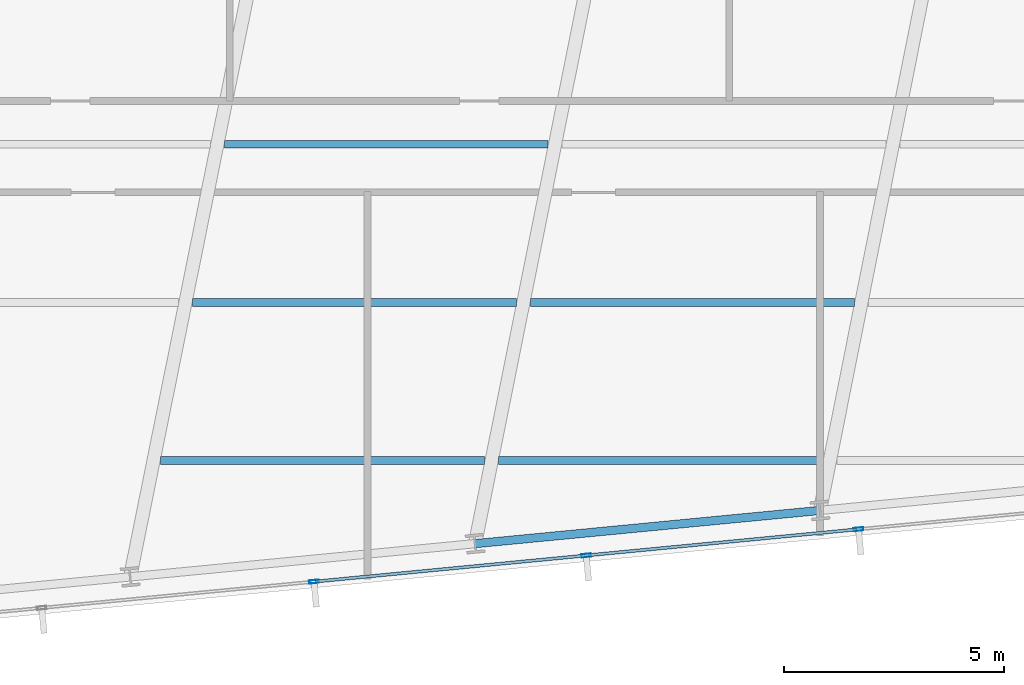
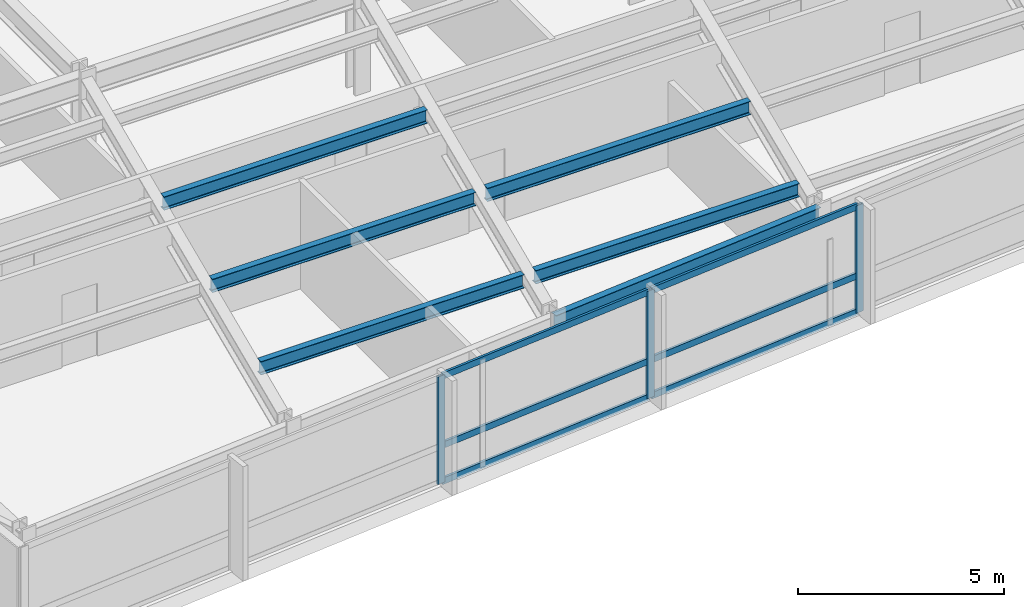
# One storey, part 5 of 33: 9 members, 6 beams, 1 element without a shape of its own.
"""IFC4 building model written with IfcOpenShell, lengths in metres."""

import ifcopenshell
import ifcopenshell.guid

model = None  # the IFC model being written
_history = None  # IfcOwnerHistory: only IFC2X3 demands one
_inside = {}  # id of a spatial element -> (the spatial element, [elements in it])
_under = {}  # id of a project, library or spatial element -> (it, [spatial elements below it])
_declared = {}  # id of a project -> (the project, [libraries it declares])
_typed = {}  # id of a type object -> (the type object, [elements of that type])
_made_of = {}  # id of a material, layer set ... -> (it, [elements and type objects made of it])


def new_model(schema):
    """Start an empty IFC model of exactly this schema.

    Asked for "IFC4X3", IfcOpenShell would pick the latest addendum, in which some entities
    have other attributes; the version numbers below select the first issue.
    IFC2X3 requires an IfcOwnerHistory on every rooted entity: one is made here for all.
    """
    global model, _history
    if schema == "IFC4X3":
        model = ifcopenshell.file(schema_version=(4, 3, 0, 0))
    else:
        model = ifcopenshell.file(schema=schema)
    _inside.clear()
    _under.clear()
    _declared.clear()
    _typed.clear()
    _made_of.clear()
    _history = None
    if model.schema == "IFC2X3":
        org = make("IfcOrganization", Name="unknown")
        user = make(
            "IfcPersonAndOrganization",
            ThePerson=make("IfcPerson", FamilyName="unknown"),
            TheOrganization=org,
        )
        app = make(
            "IfcApplication",
            ApplicationDeveloper=org,
            Version="unknown",
            ApplicationFullName="unknown",
            ApplicationIdentifier="unknown",
        )
        _history = make(
            "IfcOwnerHistory",
            OwningUser=user,
            OwningApplication=app,
            ChangeAction="ADDED",
            CreationDate=0,
        )
    return model


def make(cls, **values):
    """One entity of the class cls with the attributes given. An attribute that is None is left unset."""
    return model.create_entity(
        cls, **{name: value for name, value in values.items() if value is not None}
    )


def rooted(cls, **values):
    """An entity with a GlobalId (a new one), such as an element, a storey or a relation."""
    return make(cls, GlobalId=ifcopenshell.guid.new(), OwnerHistory=_history, **values)


def si_unit(unit_type, name, prefix=None):
    """IfcSIUnit, for example si_unit("LENGTHUNIT", "METRE", prefix="MILLI")."""
    return make("IfcSIUnit", UnitType=unit_type, Prefix=prefix, Name=name)


def assignment(units):
    """IfcUnitAssignment: the units of a project."""
    return None if units is None else make("IfcUnitAssignment", Units=units)


def point(xyz):
    """IfcCartesianPoint."""
    return None if xyz is None else make("IfcCartesianPoint", Coordinates=xyz)


def direction(xyz):
    """IfcDirection."""
    return None if xyz is None else make("IfcDirection", DirectionRatios=xyz)


def frame(location, z_axis=None, x_axis=None):
    """IfcAxis2Placement3D, a coordinate frame: its origin and axes. An axis left out is left unset."""
    return make(
        "IfcAxis2Placement3D",
        Location=point(location),
        Axis=direction(z_axis),
        RefDirection=direction(x_axis),
    )


def frame_2d(location, x_axis=None):
    """IfcAxis2Placement2D, a coordinate frame in the plane: its origin and x axis."""
    return make(
        "IfcAxis2Placement2D", Location=point(location), RefDirection=direction(x_axis)
    )


def origin():
    """The frame at (0, 0, 0) with its axes left unset."""
    return frame((0.0, 0.0, 0.0))


def origin_2d():
    """The frame at (0, 0) in the plane with its x axis left unset."""
    return frame_2d((0.0, 0.0))


def place(relative_to, where):
    """IfcLocalPlacement: puts the frame where relative to a parent placement (None: the world)."""
    return make(
        "IfcLocalPlacement", PlacementRelTo=relative_to, RelativePlacement=where
    )


def context(
    kind, dimensions, precision=None, world=None, true_north=None, identifier=None
):
    """IfcGeometricRepresentationContext, for example the 3D "Model" context."""
    return make(
        "IfcGeometricRepresentationContext",
        ContextIdentifier=identifier,
        ContextType=kind,
        CoordinateSpaceDimension=dimensions,
        Precision=precision,
        WorldCoordinateSystem=world,
        TrueNorth=true_north,
    )


def subcontext(parent, identifier, kind, view, scale=None):
    """IfcGeometricRepresentationSubContext, for example "Body" below "Model"."""
    return make(
        "IfcGeometricRepresentationSubContext",
        ContextIdentifier=identifier,
        ContextType=kind,
        ParentContext=parent,
        TargetScale=scale,
        TargetView=view,
    )


def project(units=None, contexts=None):
    """IfcProject with its units and contexts."""
    return rooted(
        "IfcProject",
        Name="project",
        RepresentationContexts=contexts,
        UnitsInContext=assignment(units),
    )


def spatial(cls, under=None, at=None, **own):
    """A site, building, storey or space (cls), placed at a placement, below another one or the project."""
    s = rooted(cls, ObjectPlacement=at, **own)
    if under is not None:
        _under.setdefault(under.id(), (under, []))[1].append(s)
    return s


def profile(cls, at=None, kind="AREA", **sizes):
    """A parametric profile (cls). Its sizes go by their IFC names, for example OverallWidth=200.0."""
    return make(cls, ProfileType=kind, Position=at, **sizes)


def hollow_rectangle(**sizes):
    """IfcRectangleHollowProfileDef."""
    return profile("IfcRectangleHollowProfileDef", **sizes)


def i_section(**sizes):
    """IfcIShapeProfileDef."""
    return profile("IfcIShapeProfileDef", **sizes)


def extrude(swept, where, along, depth):
    """IfcExtrudedAreaSolid: the profile swept, set in the frame where, extruded along a direction by depth."""
    return make(
        "IfcExtrudedAreaSolid",
        SweptArea=swept,
        Position=where,
        ExtrudedDirection=direction(along),
        Depth=depth,
    )


def shape(context_of_items, identifier, shape_type, items):
    """IfcShapeRepresentation: the items that make up one representation, for example the "Body"."""
    return make(
        "IfcShapeRepresentation",
        ContextOfItems=context_of_items,
        RepresentationIdentifier=identifier,
        RepresentationType=shape_type,
        Items=items,
    )


def material(Name=None, Category=None):
    """IfcMaterial."""
    return make("IfcMaterial", Name=Name, Category=Category)


def material_profile(
    of_material, cross_section, Name=None, Category=None, Priority=None
):
    """IfcMaterialProfile: a cross section and its material."""
    return make(
        "IfcMaterialProfile",
        Name=Name,
        Material=of_material,
        Profile=cross_section,
        Priority=Priority,
        Category=Category,
    )


def profile_set(profiles, Name=None, composite=None):
    """IfcMaterialProfileSet."""
    return make(
        "IfcMaterialProfileSet",
        Name=Name,
        MaterialProfiles=profiles,
        CompositeProfile=composite,
    )


def made_of(thing, what):
    """Note that an element or type object is made of a material, layer set ...; save() writes the relation."""
    if what is not None:
        _made_of.setdefault(what.id(), (what, []))[1].append(thing)
    return thing


def type_object(cls, material=None, **own):
    """A type object (cls), such as IfcWallType, which elements share."""
    return made_of(rooted(cls, **own), material)


def element(
    cls,
    number,
    at=None,
    inside=None,
    cuts=None,
    type_object=None,
    material=None,
    context=None,
    identifier="Body",
    shape_type=None,
    held_by="IfcProductDefinitionShape",
    body=None,
    shapes=None,
    **own,
):
    """One element of the class cls, such as IfcWall. Its Tag is "e" and its number.

    at: its placement. inside: the storey or other place that contains it. cuts: it is an
    opening in that element (IfcRelVoidsElement). A single representation is given by context,
    identifier, shape_type and body (its items); several are given by shapes. held_by: the class
    of the entity that holds the representations. save() writes the other relations.
    """
    e = rooted(cls, Tag="e%d" % number, ObjectPlacement=at, **own)
    if body is not None:
        shapes = [shape(context, identifier, shape_type, body)]
    if shapes is not None:
        e.Representation = make(held_by, Representations=shapes)
    if inside is not None:
        _inside.setdefault(inside.id(), (inside, []))[1].append(e)
    if cuts is not None:
        rooted(
            "IfcRelVoidsElement", RelatingBuildingElement=cuts, RelatedOpeningElement=e
        )
    if type_object is not None:
        _typed.setdefault(type_object.id(), (type_object, []))[1].append(e)
    return made_of(e, material)


def aggregate(whole, parts):
    """IfcRelAggregates: a whole, such as a stair, and the parts it consists of."""
    return rooted("IfcRelAggregates", RelatingObject=whole, RelatedObjects=parts)


def save(model, path):
    """Write the relations noted so far, then the file.

    IfcRelAggregates (storeys below a building ...), IfcRelContainedInSpatialStructure (elements
    in a storey), IfcRelDefinesByType, IfcRelAssociatesMaterial and IfcRelDeclares: one each for
    every whole, place, type object, material and project.
    """
    for whole, parts in _under.values():
        aggregate(whole, parts)
    for where, things in _inside.values():
        rooted(
            "IfcRelContainedInSpatialStructure",
            RelatedElements=things,
            RelatingStructure=where,
        )
    for kind, things in _typed.values():
        rooted("IfcRelDefinesByType", RelatedObjects=things, RelatingType=kind)
    for what, things in _made_of.values():
        rooted("IfcRelAssociatesMaterial", RelatedObjects=things, RelatingMaterial=what)
    for by, libraries in _declared.values():
        rooted("IfcRelDeclares", RelatingContext=by, RelatedDefinitions=libraries)
    model.write(path)


model = new_model("IFC4")

# Units and contexts
model_context = context("Model", 3, precision=1e-05, world=origin(), true_north=direction((0.0, 1.0)))
body_context = subcontext(model_context, "Body", "Model", "MODEL_VIEW")
ifc_project = project(units=[si_unit("LENGTHUNIT", "METRE"), si_unit("AREAUNIT", "SQUARE_METRE"), si_unit("VOLUMEUNIT", "CUBIC_METRE"), si_unit("PLANEANGLEUNIT", "RADIAN"), si_unit("MASSUNIT", "GRAM", prefix="KILO")], contexts=[model_context])

# Site, building, storey
site_placement = place(None, origin())
site = spatial("IfcSite", under=ifc_project, at=site_placement, CompositionType="ELEMENT")
building_placement = place(site_placement, origin())
building = spatial("IfcBuilding", under=site, at=building_placement, Name="Yelkora Congress Tower", CompositionType="ELEMENT")
storey_placement = place(building_placement, frame((0.0, 0.0, 89.699951171875)))
storey = spatial("IfcBuildingStorey", under=building, at=storey_placement, Name="L23", CompositionType="ELEMENT", Elevation=89.699951171875)

# Beams
ifc_material_1 = material(Name="Steel S355J2", Category="steel")
ifc_material_profile_1 = material_profile(ifc_material_1, i_section(OverallWidth=0.179931640625, OverallDepth=0.39990234375, WebThickness=0.008544921875, FlangeThickness=0.013427734375, FilletRadius=0.02099609375, at=origin_2d()), Name="IPE 400")
ifc_profile_set_1 = profile_set([ifc_material_profile_1], Name="Steel S355J2")
beam_type_1 = type_object("IfcBeamType", Name="BM-JOIST-IPE400", PredefinedType="JOIST", material=ifc_profile_set_1)
beam_1_placement = place(storey_placement, frame((28.32861328125, 12.54443359375, 2.97998046875), z_axis=(1.0, 0.0, 0.0), x_axis=(0.0, 1.0, 0.0)))
element("IfcBeam", 1, at=beam_1_placement, inside=storey, type_object=beam_type_1, Name="L23 Composite Floor Joist 1", PredefinedType="JOIST", context=body_context, shape_type="SweptSolid", body=[
    extrude(i_section(OverallWidth=0.179931640625, OverallDepth=0.39990234375, WebThickness=0.008544921875, FlangeThickness=0.013427734375, FilletRadius=0.02099609375, at=origin_2d()), origin(), (0.0, 0.0, 1.0), 7.374755859375),
])
beam_2_placement = place(storey_placement, frame((36.023193359375, 12.54443359375, 2.97998046875), z_axis=(1.0, 0.0, 0.0), x_axis=(0.0, 1.0, 0.0)))
element("IfcBeam", 2, at=beam_2_placement, inside=storey, type_object=beam_type_1, Name="L23 Composite Floor Joist 2", PredefinedType="JOIST", context=body_context, shape_type="SweptSolid", body=[
    extrude(i_section(OverallWidth=0.179931640625, OverallDepth=0.39990234375, WebThickness=0.008544921875, FlangeThickness=0.013427734375, FilletRadius=0.02099609375, at=origin_2d()), origin(), (0.0, 0.0, 1.0), 7.37646484375),
])
beam_3_placement = place(storey_placement, frame((29.05419921875, 16.144287109375, 2.97998046875), z_axis=(1.0, 0.0, 0.0), x_axis=(0.0, 1.0, 0.0)))
element("IfcBeam", 3, at=beam_3_placement, inside=storey, type_object=beam_type_1, Name="L23 Composite Floor Joist 5", PredefinedType="JOIST", context=body_context, shape_type="SweptSolid", body=[
    extrude(i_section(OverallWidth=0.179931640625, OverallDepth=0.39990234375, WebThickness=0.008544921875, FlangeThickness=0.013427734375, FilletRadius=0.02099609375, at=origin_2d()), origin(), (0.0, 0.0, 1.0), 7.37060546875),
])
beam_4_placement = place(storey_placement, frame((36.744873046875, 16.144287109375, 2.97998046875), z_axis=(1.0, 0.0, 0.0), x_axis=(0.0, 1.0, 0.0)))
element("IfcBeam", 4, at=beam_4_placement, inside=storey, type_object=beam_type_1, Name="L23 Composite Floor Joist 6", PredefinedType="JOIST", context=body_context, shape_type="SweptSolid", body=[
    extrude(i_section(OverallWidth=0.179931640625, OverallDepth=0.39990234375, WebThickness=0.008544921875, FlangeThickness=0.013427734375, FilletRadius=0.02099609375, at=origin_2d()), origin(), (0.0, 0.0, 1.0), 7.371826171875),
])
beam_5_placement = place(storey_placement, frame((29.780029296875, 19.744384765625, 2.97998046875), z_axis=(1.0, 0.0, 0.0), x_axis=(0.0, 1.0, 0.0)))
element("IfcBeam", 5, at=beam_5_placement, inside=storey, type_object=beam_type_1, Name="L23 Composite Floor Joist 12", PredefinedType="JOIST", context=body_context, shape_type="SweptSolid", body=[
    extrude(i_section(OverallWidth=0.179931640625, OverallDepth=0.39990234375, WebThickness=0.008544921875, FlangeThickness=0.013427734375, FilletRadius=0.02099609375, at=origin_2d()), origin(), (0.0, 0.0, 1.0), 7.366455078125),
])
ifc_material_profile_2 = material_profile(ifc_material_1, i_section(OverallWidth=0.18994140625, OverallDepth=0.449951171875, WebThickness=0.009521484375, FlangeThickness=0.0146484375, FilletRadius=0.02099609375, at=origin_2d()), Name="IPE 450")
ifc_profile_set_2 = profile_set([ifc_material_profile_2], Name="Steel S355J2")
beam_type_2 = type_object("IfcBeamType", Name="BM-SPAN-IPE450", PredefinedType="SPANDREL", material=ifc_profile_set_2)
beam_6_placement = place(storey_placement, frame((35.48486328125, 10.656005859375, 2.955078125), z_axis=(0.995395575667, 0.095852219286, 0.0), x_axis=(-0.095852219286, 0.995395575667, 0.0)))
element("IfcBeam", 6, at=beam_6_placement, inside=storey, type_object=beam_type_2, Name="L23 Perimeter Beam 5", PredefinedType="SPANDREL", context=body_context, shape_type="SweptSolid", body=[
    extrude(i_section(OverallWidth=0.18994140625, OverallDepth=0.449951171875, WebThickness=0.009521484375, FlangeThickness=0.0146484375, FilletRadius=0.02099609375, at=origin_2d()), origin(), (0.0, 0.0, 1.0), 7.8857421875),
])

# Curtain wall, members
ifc_material_2 = material(Name="Anodised aluminium and insulated glass", Category="aluminium")
curtain_wall_type = type_object("IfcCurtainWallType", Name="CW-SYS-SKY", PredefinedType="NOTDEFINED", material=ifc_material_2)
curtain_wall_placement = place(storey_placement, origin())
curtain_wall = element("IfcCurtainWall", 7, at=curtain_wall_placement, inside=storey, type_object=curtain_wall_type, Name="L23 Unitised Curtain Wall 20", PredefinedType="NOTDEFINED")
ifc_material_3 = material(Name="Anodised aluminium 6063-T6", Category="aluminium")
ifc_material_profile_3 = material_profile(ifc_material_3, hollow_rectangle(XDim=0.074951171875, YDim=0.219970703125, WallThickness=0.0048828125, at=origin_2d()), Name="ALU 75x220x5")
ifc_profile_set_3 = profile_set([ifc_material_profile_3], Name="Anodised aluminium 6063-T6")
member_type_1 = type_object("IfcMemberType", Name="MEM-ML-SKY", PredefinedType="MULLION", material=ifc_profile_set_3)
member_1_placement = place(storey_placement, frame((44.2099609375, 10.98388671875, 0.0), z_axis=(0.0, 0.0, 1.0), x_axis=(0.095844345816, -0.995396333816, 0.0)))
member_1 = element("IfcMember", 8, at=member_1_placement, type_object=member_type_1, Name="CW-SKY mullion 6", PredefinedType="MULLION", context=body_context, shape_type="SweptSolid", body=[
    extrude(hollow_rectangle(XDim=0.074951171875, YDim=0.219970703125, WallThickness=0.0048828125, at=origin_2d()), origin(), (0.0, 0.0, 1.0), 3.179931640625),
])
member_2_placement = place(storey_placement, frame((38.01416015625, 10.38720703125, 0.0), z_axis=(0.0, 0.0, 1.0), x_axis=(0.095844345816, -0.995396333816, 0.0)))
member_2 = element("IfcMember", 9, at=member_2_placement, type_object=member_type_1, Name="CW-SKY mullion 7", PredefinedType="MULLION", context=body_context, shape_type="SweptSolid", body=[
    extrude(hollow_rectangle(XDim=0.074951171875, YDim=0.219970703125, WallThickness=0.0048828125, at=origin_2d()), origin(), (0.0, 0.0, 1.0), 3.179931640625),
])
member_3_placement = place(storey_placement, frame((31.818359375, 9.790771484375, 0.0), z_axis=(0.0, 0.0, 1.0), x_axis=(0.095844345816, -0.995396333816, 0.0)))
member_3 = element("IfcMember", 10, at=member_3_placement, type_object=member_type_1, Name="CW-SKY mullion 8", PredefinedType="MULLION", context=body_context, shape_type="SweptSolid", body=[
    extrude(hollow_rectangle(XDim=0.074951171875, YDim=0.219970703125, WallThickness=0.0048828125, at=origin_2d()), origin(), (0.0, 0.0, 1.0), 3.179931640625),
])
ifc_material_profile_4 = material_profile(ifc_material_3, hollow_rectangle(XDim=0.070068359375, YDim=0.18994140625, WallThickness=0.00390625, at=origin_2d()), Name="ALU 70x190x4")
ifc_profile_set_4 = profile_set([ifc_material_profile_4], Name="Anodised aluminium 6063-T6")
member_type_2 = type_object("IfcMemberType", Name="MEM-TR-SKY", PredefinedType="USERDEFINED", material=ifc_profile_set_4)
member_4_placement = place(storey_placement, frame((44.172607421875, 10.980224609375, 0.03515625), z_axis=(-0.995396800655, -0.095839497319, 0.0), x_axis=(0.095839497319, -0.995396800655, 0.0)))
member_4 = element("IfcMember", 11, at=member_4_placement, type_object=member_type_2, Name="CW-SKY transom 6.1", ObjectType="TRANSOM", PredefinedType="USERDEFINED", context=body_context, shape_type="SweptSolid", body=[
    extrude(hollow_rectangle(XDim=0.070068359375, YDim=0.18994140625, WallThickness=0.00390625, at=origin_2d()), origin(), (0.0, 0.0, 1.0), 6.1494140625),
])
member_5_placement = place(storey_placement, frame((44.172607421875, 10.980224609375, 1.10009765625), z_axis=(-0.995396800655, -0.095839497319, 0.0), x_axis=(0.095839497319, -0.995396800655, 0.0)))
member_5 = element("IfcMember", 12, at=member_5_placement, type_object=member_type_2, Name="CW-SKY transom 6.2", ObjectType="TRANSOM", PredefinedType="USERDEFINED", context=body_context, shape_type="SweptSolid", body=[
    extrude(hollow_rectangle(XDim=0.070068359375, YDim=0.18994140625, WallThickness=0.00390625, at=origin_2d()), origin(), (0.0, 0.0, 1.0), 6.1494140625),
])
member_6_placement = place(storey_placement, frame((44.172607421875, 10.980224609375, 3.14501953125), z_axis=(-0.995396800655, -0.095839497319, 0.0), x_axis=(0.095839497319, -0.995396800655, 0.0)))
member_6 = element("IfcMember", 13, at=member_6_placement, type_object=member_type_2, Name="CW-SKY transom 6.3", ObjectType="TRANSOM", PredefinedType="USERDEFINED", context=body_context, shape_type="SweptSolid", body=[
    extrude(hollow_rectangle(XDim=0.070068359375, YDim=0.18994140625, WallThickness=0.00390625, at=origin_2d()), origin(), (0.0, 0.0, 1.0), 6.1494140625),
])
member_7_placement = place(storey_placement, frame((37.976806640625, 10.383544921875, 0.03515625), z_axis=(-0.995396800655, -0.095839497319, 0.0), x_axis=(0.095839497319, -0.995396800655, 0.0)))
member_7 = element("IfcMember", 14, at=member_7_placement, type_object=member_type_2, Name="CW-SKY transom 7.1", ObjectType="TRANSOM", PredefinedType="USERDEFINED", context=body_context, shape_type="SweptSolid", body=[
    extrude(hollow_rectangle(XDim=0.070068359375, YDim=0.18994140625, WallThickness=0.00390625, at=origin_2d()), origin(), (0.0, 0.0, 1.0), 6.1494140625),
])
member_8_placement = place(storey_placement, frame((37.976806640625, 10.383544921875, 1.10009765625), z_axis=(-0.995396800655, -0.095839497319, 0.0), x_axis=(0.095839497319, -0.995396800655, 0.0)))
member_8 = element("IfcMember", 15, at=member_8_placement, type_object=member_type_2, Name="CW-SKY transom 7.2", ObjectType="TRANSOM", PredefinedType="USERDEFINED", context=body_context, shape_type="SweptSolid", body=[
    extrude(hollow_rectangle(XDim=0.070068359375, YDim=0.18994140625, WallThickness=0.00390625, at=origin_2d()), origin(), (0.0, 0.0, 1.0), 6.1494140625),
])
member_9_placement = place(storey_placement, frame((37.976806640625, 10.383544921875, 3.14501953125), z_axis=(-0.995396800655, -0.095839497319, 0.0), x_axis=(0.095839497319, -0.995396800655, 0.0)))
member_9 = element("IfcMember", 16, at=member_9_placement, type_object=member_type_2, Name="CW-SKY transom 7.3", ObjectType="TRANSOM", PredefinedType="USERDEFINED", context=body_context, shape_type="SweptSolid", body=[
    extrude(hollow_rectangle(XDim=0.070068359375, YDim=0.18994140625, WallThickness=0.00390625, at=origin_2d()), origin(), (0.0, 0.0, 1.0), 6.1494140625),
])
aggregate(curtain_wall, [member_1, member_2, member_3, member_4, member_5, member_6, member_7, member_8, member_9])

save(model, "model.ifc")
